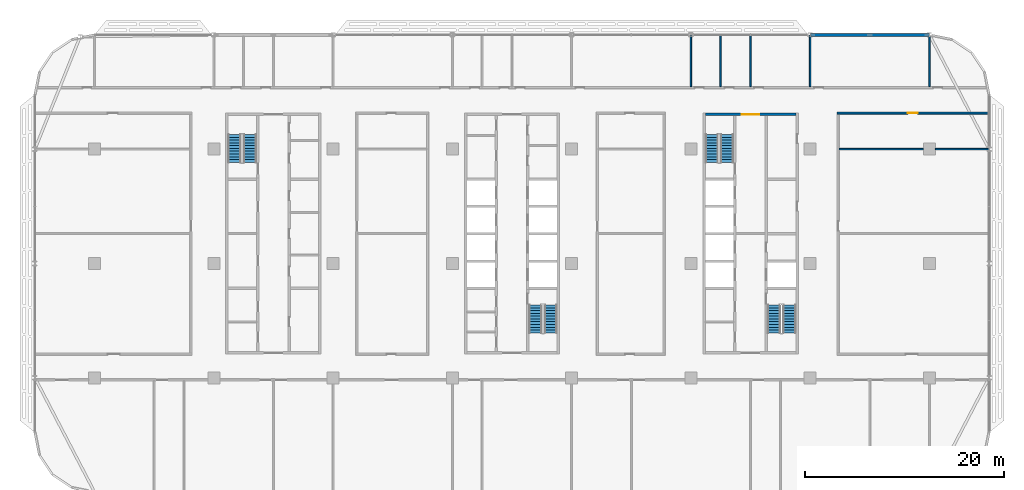
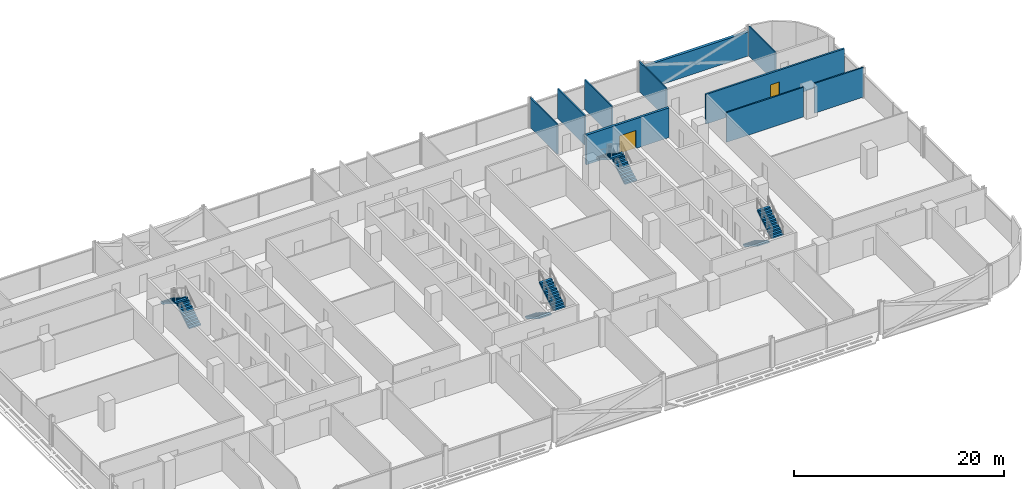
# One storey, part 16 of 27: 10 walls, 8 stair flights, 2 doors, 2 openings, 4 elements without a shape of their own.
"""IFC4 building model written with IfcOpenShell, lengths in metres."""

from ifc_helpers import new_model, si_unit, direction, frame, frame_2d, origin, place, context, subcontext, project, spatial, polyline, rectangle, outline, extrude, material, layer, layer_set, type_object, element, fill, aggregate, save


model = new_model("IFC4")

# Units and contexts
model_context = context("Model", 3, precision=1e-05, world=origin(), true_north=direction((0.0, 1.0)))
body_context = subcontext(model_context, "Body", "Model", "MODEL_VIEW")
ifc_project = project(units=[si_unit("LENGTHUNIT", "METRE"), si_unit("AREAUNIT", "SQUARE_METRE"), si_unit("VOLUMEUNIT", "CUBIC_METRE"), si_unit("PLANEANGLEUNIT", "RADIAN"), si_unit("MASSUNIT", "GRAM", prefix="KILO")], contexts=[model_context])

# Site, building, storey
site_placement = place(None, origin())
site = spatial("IfcSite", under=ifc_project, at=site_placement, CompositionType="ELEMENT")
building_placement = place(site_placement, origin())
building = spatial("IfcBuilding", under=site, at=building_placement, Name="Mahtab Terrace Research Tower", CompositionType="ELEMENT")
storey_placement = place(building_placement, frame((0.0, 0.0, 166.800048828125)))
storey = spatial("IfcBuildingStorey", under=building, at=storey_placement, Name="L39", CompositionType="ELEMENT", Elevation=166.800048828125)

# Wall, opening, door
ifc_material_1 = material(Name="Concrete C70/85", Category="concrete")
ifc_layer_1 = layer(ifc_material_1, 0.25)
ifc_layer_set_1 = layer_set([ifc_layer_1], Name="Core wall 250")
wall_type_1 = type_object("IfcWallType", Name="Core wall 250", PredefinedType="SOLIDWALL", material=ifc_layer_set_1)
wall_1_placement = place(storey_placement, frame((19.449951171875, 15.0, 0.0), z_axis=(0.0, 0.0, 1.0), x_axis=(1.0, 0.0, 0.0)))
wall_1 = element("IfcWall", 1, at=wall_1_placement, inside=storey, type_object=wall_type_1, Name="Core wall C endN", PredefinedType="SOLIDWALL", context=body_context, shape_type="SweptSolid", body=[
    extrude(rectangle(XDim=9.10009765625, YDim=0.25, at=frame_2d((4.550048828125, 0.0))), origin(), (0.0, 0.0, 1.0), 3.4599609375),
])
opening_1_placement = place(wall_1_placement, frame((3.64990234375, 0.0, 0.0)))
opening_1 = element("IfcOpeningElement", 2, at=opening_1_placement, cuts=wall_1, Name="Opening C-N1", PredefinedType="OPENING", context=body_context, shape_type="SweptSolid", body=[
    extrude(rectangle(XDim=1.800048828125, YDim=2.10009765625, at=frame_2d((0.89990234375, 1.050048828125))), frame((0.0, 0.135009765625, 0.0), z_axis=(0.0, -1.0, 0.0), x_axis=(1.0, 0.0, 0.0)), (0.0, 0.0, 1.0), 0.27001953125),
])
ifc_material_2 = material(Name="Steel fire door", Category="steel")
door_type_1 = type_object("IfcDoorType", Name="Lobby double door 1800x2100 1 HR", OperationType="DOUBLE_DOOR_SINGLE_SWING", PredefinedType="DOOR", material=ifc_material_2)
door_1_placement = place(opening_1_placement, origin())
door_1 = element("IfcDoor", 3, at=door_1_placement, inside=storey, type_object=door_type_1, Name="Core entrance door C N", OperationType="DOUBLE_DOOR_SINGLE_SWING", OverallHeight=2.10009765625, OverallWidth=1.800048828125, PredefinedType="DOOR", context=body_context, shape_type="SweptSolid", body=[
    extrude(rectangle(XDim=1.800048828125, YDim=2.10009765625, at=frame_2d((0.89990234375, 1.050048828125))), frame((0.0, 0.02490234375, 0.0), z_axis=(0.0, -1.0, 0.0), x_axis=(1.0, 0.0, 0.0)), (0.0, 0.0, 1.0), 0.050048828125),
])
fill(opening_1, door_1)

# Wall
ifc_material_3 = material(Name="Black aluminium cladding panel", Category="aluminium")
ifc_layer_2 = layer(ifc_material_3, 0.300048828125)
ifc_layer_set_2 = layer_set([ifc_layer_2], Name="Opaque facade wall 300")
wall_type_2 = type_object("IfcWallType", Name="Opaque facade wall 300", PredefinedType="NOTDEFINED", material=ifc_layer_set_2)
wall_2_placement = place(storey_placement, frame((41.985107421875, 23.0, 0.0), z_axis=(0.0, 0.0, 1.0), x_axis=(-1.0, 0.0, 0.0)))
element("IfcWall", 4, at=wall_2_placement, inside=storey, type_object=wall_type_2, Name="Opaque facade wall L39 N3", PredefinedType="NOTDEFINED", context=body_context, shape_type="SweptSolid", body=[
    extrude(rectangle(XDim=11.97021484375, YDim=0.300048828125, at=frame_2d((5.985107421875, 0.0))), origin(), (0.0, 0.0, 1.0), 2.78173828125),
])

# Wall, opening, door
ifc_material_4 = material(Name="Gypsum board corridor wall on steel studs", Category="steel")
ifc_layer_3 = layer(ifc_material_4, 0.199951171875)
ifc_layer_set_3 = layer_set([ifc_layer_3], Name="WALL CORRIDOR 200")
wall_type_3 = type_object("IfcWallType", Name="WALL CORRIDOR 200", PredefinedType="PARTITIONING", material=ifc_layer_set_3)
wall_3_placement = place(storey_placement, frame((32.699951171875, 15.125, 0.0), z_axis=(0.0, 0.0, 1.0), x_axis=(1.0, 0.0, 0.0)))
wall_3 = element("IfcWall", 5, at=wall_3_placement, inside=storey, type_object=wall_type_3, Name="L39-W027", PredefinedType="PARTITIONING", context=body_context, shape_type="SweptSolid", body=[
    extrude(rectangle(XDim=15.275146484375, YDim=0.199951171875, at=frame_2d((7.6376953125, 0.0))), origin(), (0.0, 0.0, 1.0), 3.4599609375),
])
opening_2_placement = place(wall_3_placement, frame((7.10009765625, 0.0, 0.0)))
opening_2 = element("IfcOpeningElement", 6, at=opening_2_placement, cuts=wall_3, Name="Opening L39-125", PredefinedType="OPENING", context=body_context, shape_type="SweptSolid", body=[
    extrude(rectangle(XDim=1.0, YDim=2.10009765625, at=frame_2d((0.5, 1.050048828125))), frame((0.0, 0.10986328125, 0.0), z_axis=(0.0, -1.0, 0.0), x_axis=(1.0, 0.0, 0.0)), (0.0, 0.0, 1.0), 0.219970703125),
])
ifc_material_5 = material(Name="Timber door leaf in steel frame", Category="steel")
door_type_2 = type_object("IfcDoorType", Name="DOOR 1000X2100 FD30S", OperationType="SINGLE_SWING_LEFT", PredefinedType="DOOR", material=ifc_material_5)
door_2_placement = place(opening_2_placement, origin())
door_2 = element("IfcDoor", 7, at=door_2_placement, inside=storey, type_object=door_type_2, Name="Door L39-125", OperationType="SINGLE_SWING_LEFT", OverallHeight=2.10009765625, OverallWidth=1.0, PredefinedType="DOOR", context=body_context, shape_type="SweptSolid", body=[
    extrude(rectangle(XDim=1.0, YDim=2.10009765625, at=frame_2d((0.5, 1.050048828125))), frame((0.0, 0.02490234375, 0.0), z_axis=(0.0, -1.0, 0.0), x_axis=(1.0, 0.0, 0.0)), (0.0, 0.0, 1.0), 0.050048828125),
])
fill(opening_2, door_2)

# Walls
ifc_material_6 = material(Name="Gypsum board partition on steel studs", Category="steel")
ifc_layer_4 = layer(ifc_material_6, 0.14990234375)
ifc_layer_set_4 = layer_set([ifc_layer_4], Name="WALL PARTITION 150")
wall_type_4 = type_object("IfcWallType", Name="WALL PARTITION 150", PredefinedType="PARTITIONING", material=ifc_layer_set_4)
wall_4_placement = place(storey_placement, frame((32.89990234375, 11.5, 0.0), z_axis=(0.0, 0.0, 1.0), x_axis=(1.0, 0.0, 0.0)))
element("IfcWall", 8, at=wall_4_placement, inside=storey, type_object=wall_type_4, Name="L39-W022", PredefinedType="PARTITIONING", context=body_context, shape_type="SweptSolid", body=[
    extrude(rectangle(XDim=8.5, YDim=0.14990234375, at=frame_2d((4.25, 0.0))), origin(), (0.0, 0.0, 1.0), 3.4599609375),
])
wall_5_placement = place(storey_placement, frame((42.60009765625, 11.5, 0.0), z_axis=(0.0, 0.0, 1.0), x_axis=(1.0, 0.0, 0.0)))
element("IfcWall", 9, at=wall_5_placement, inside=storey, type_object=wall_type_4, Name="L39-W023", PredefinedType="PARTITIONING", context=body_context, shape_type="SweptSolid", body=[
    extrude(rectangle(XDim=5.375, YDim=0.14990234375, at=frame_2d((2.6875, 0.0))), origin(), (0.0, 0.0, 1.0), 3.4599609375),
])
for number, where, z_axis, x_axis, name in (
    (10, (18.0, 17.800048828125, 0.0), (0.0, 0.0, 1.0), (0.0, 1.0, 0.0), "L39-W051"),
    (11, (21.0, 17.800048828125, 0.0), (0.0, 0.0, 1.0), (0.0, 1.0, 0.0), "L39-W052"),
    (12, (24.0, 17.800048828125, 0.0), (0.0, 0.0, 1.0), (0.0, 1.0, 0.0), "L39-W054"),
    (13, (30.0, 17.800048828125, 0.0), (0.0, 0.0, 1.0), (0.0, 1.0, 0.0), "L39-W056"),
):
    element("IfcWall", number, at=place(storey_placement, frame(where, z_axis=z_axis, x_axis=x_axis)), inside=storey, type_object=wall_type_4, Name=name, PredefinedType="PARTITIONING", context=body_context, shape_type="SweptSolid", body=[
        extrude(rectangle(XDim=5.175048828125, YDim=0.14990234375, at=frame_2d((2.58740234375, 0.0))), origin(), (0.0, 0.0, 1.0), 3.4599609375),
    ])
wall_6_placement = place(storey_placement, frame((42.0, 17.800048828125, 0.0), z_axis=(0.0, 0.0, 1.0), x_axis=(0.0, 1.0, 0.0)))
element("IfcWall", 14, at=wall_6_placement, inside=storey, type_object=wall_type_4, Name="L39-W060", PredefinedType="PARTITIONING", context=body_context, shape_type="SweptSolid", body=[
    extrude(rectangle(XDim=5.047119140625, YDim=0.14990234375, at=frame_2d((2.5234375, 0.0))), origin(), (0.0, 0.0, 1.0), 3.4599609375),
])

# Stair, stair flights
ifc_material_7 = material(Name="Exit stair half-turn")
stair_type = type_object("IfcStairType", Name="Exit stair half-turn", PredefinedType="HALF_TURN_STAIR", material=ifc_material_7)
stair_1_placement = place(storey_placement, origin())
stair_1 = element("IfcStair", 15, at=stair_1_placement, inside=storey, type_object=stair_type, Name="L39 Protected exit stair ST1", PredefinedType="HALF_TURN_STAIR")
ifc_material_8 = material(Name="Concrete C40/50", Category="concrete")
stair_flight_type = type_object("IfcStairFlightType", Name="Exit stair flight 1300", PredefinedType="STRAIGHT", material=ifc_material_8)
stair_flight_1_placement = place(storey_placement, frame((-26.35009765625, 10.175048828125, 0.0), z_axis=(0.0, 0.0, 1.0), x_axis=(0.0, 1.0, 0.0)))
stair_flight_1 = element("IfcStairFlight", 16, at=stair_flight_1_placement, type_object=stair_flight_type, Name="ST1 flight 1", NumberOfRisers=11, NumberOfTreads=10, PredefinedType="STRAIGHT", RiserHeight=0.172727273, TreadLength=0.28, context=body_context, shape_type="SweptSolid", body=[
    extrude(outline(polyline([(0.0, 0.0), (0.0, 0.172607421875), (0.280029296875, 0.172607421875), (0.280029296875, 0.345458984375), (0.56005859375, 0.345458984375), (0.56005859375, 0.51806640625), (0.840087890625, 0.51806640625), (0.840087890625, 0.69091796875), (1.1201171875, 0.69091796875), (1.1201171875, 0.863525390625), (1.39990234375, 0.863525390625), (1.39990234375, 1.036376953125), (1.679931640625, 1.036376953125), (1.679931640625, 1.208984375), (1.9599609375, 1.208984375), (1.9599609375, 1.3818359375), (2.239990234375, 1.3818359375), (2.239990234375, 1.554443359375), (2.52001953125, 1.554443359375), (2.52001953125, 1.727294921875), (2.800048828125, 1.727294921875), (2.800048828125, 1.89990234375), (2.800048828125, 1.551025390625), (0.285400390625, 0.0), (0.0, 0.0)])), frame((0.0, 0.64990234375, 0.0), z_axis=(0.0, -1.0, 0.0), x_axis=(1.0, 0.0, 0.0)), (0.0, 0.0, 1.0), 1.300048828125),
])
stair_flight_2_placement = place(storey_placement, frame((-27.89990234375, 12.97509765625, 1.89990234375), z_axis=(0.0, 0.0, 1.0), x_axis=(0.0, -1.0, 0.0)))
stair_flight_2 = element("IfcStairFlight", 17, at=stair_flight_2_placement, type_object=stair_flight_type, Name="ST1 flight 2", NumberOfRisers=11, NumberOfTreads=10, PredefinedType="STRAIGHT", RiserHeight=0.172727273, TreadLength=0.28, context=body_context, shape_type="SweptSolid", body=[
    extrude(outline(polyline([(0.0, 0.0), (0.0, 0.172607421875), (0.280029296875, 0.172607421875), (0.280029296875, 0.345458984375), (0.56005859375, 0.345458984375), (0.56005859375, 0.51806640625), (0.840087890625, 0.51806640625), (0.840087890625, 0.69091796875), (1.1201171875, 0.69091796875), (1.1201171875, 0.863525390625), (1.39990234375, 0.863525390625), (1.39990234375, 1.036376953125), (1.679931640625, 1.036376953125), (1.679931640625, 1.208984375), (1.9599609375, 1.208984375), (1.9599609375, 1.3818359375), (2.239990234375, 1.3818359375), (2.239990234375, 1.554443359375), (2.52001953125, 1.554443359375), (2.52001953125, 1.727294921875), (2.800048828125, 1.727294921875), (2.800048828125, 1.89990234375), (2.800048828125, 1.551025390625), (0.285400390625, 0.0), (0.0, 0.0)])), frame((0.0, 0.64990234375, 0.0), z_axis=(0.0, -1.0, 0.0), x_axis=(1.0, 0.0, 0.0)), (0.0, 0.0, 1.0), 1.300048828125),
])
aggregate(stair_1, [stair_flight_1, stair_flight_2])

stair_2_placement = place(storey_placement, origin())
stair_2 = element("IfcStair", 18, at=stair_2_placement, inside=storey, type_object=stair_type, Name="L39 Protected exit stair ST2", PredefinedType="HALF_TURN_STAIR")
stair_flight_3_placement = place(storey_placement, frame((2.35009765625, -4.175048828125, 0.0), z_axis=(0.0, 0.0, 1.0), x_axis=(0.0, -1.0, 0.0)))
stair_flight_3 = element("IfcStairFlight", 19, at=stair_flight_3_placement, type_object=stair_flight_type, Name="ST2 flight 1", NumberOfRisers=11, NumberOfTreads=10, PredefinedType="STRAIGHT", RiserHeight=0.172727273, TreadLength=0.28, context=body_context, shape_type="SweptSolid", body=[
    extrude(outline(polyline([(0.0, 0.0), (0.0, 0.172607421875), (0.280029296875, 0.172607421875), (0.280029296875, 0.345458984375), (0.56005859375, 0.345458984375), (0.56005859375, 0.51806640625), (0.840087890625, 0.51806640625), (0.840087890625, 0.69091796875), (1.1201171875, 0.69091796875), (1.1201171875, 0.863525390625), (1.39990234375, 0.863525390625), (1.39990234375, 1.036376953125), (1.679931640625, 1.036376953125), (1.679931640625, 1.208984375), (1.9599609375, 1.208984375), (1.9599609375, 1.3818359375), (2.239990234375, 1.3818359375), (2.239990234375, 1.554443359375), (2.52001953125, 1.554443359375), (2.52001953125, 1.727294921875), (2.800048828125, 1.727294921875), (2.800048828125, 1.89990234375), (2.800048828125, 1.551025390625), (0.285400390625, 0.0), (0.0, 0.0)])), frame((0.0, 0.64990234375, 0.0), z_axis=(0.0, -1.0, 0.0), x_axis=(1.0, 0.0, 0.0)), (0.0, 0.0, 1.0), 1.300048828125),
])
stair_flight_4_placement = place(storey_placement, frame((3.89990234375, -6.97509765625, 1.89990234375), z_axis=(0.0, 0.0, 1.0), x_axis=(0.0, 1.0, 0.0)))
stair_flight_4 = element("IfcStairFlight", 20, at=stair_flight_4_placement, type_object=stair_flight_type, Name="ST2 flight 2", NumberOfRisers=11, NumberOfTreads=10, PredefinedType="STRAIGHT", RiserHeight=0.172727273, TreadLength=0.28, context=body_context, shape_type="SweptSolid", body=[
    extrude(outline(polyline([(0.0, 0.0), (0.0, 0.172607421875), (0.280029296875, 0.172607421875), (0.280029296875, 0.345458984375), (0.56005859375, 0.345458984375), (0.56005859375, 0.51806640625), (0.840087890625, 0.51806640625), (0.840087890625, 0.69091796875), (1.1201171875, 0.69091796875), (1.1201171875, 0.863525390625), (1.39990234375, 0.863525390625), (1.39990234375, 1.036376953125), (1.679931640625, 1.036376953125), (1.679931640625, 1.208984375), (1.9599609375, 1.208984375), (1.9599609375, 1.3818359375), (2.239990234375, 1.3818359375), (2.239990234375, 1.554443359375), (2.52001953125, 1.554443359375), (2.52001953125, 1.727294921875), (2.800048828125, 1.727294921875), (2.800048828125, 1.89990234375), (2.800048828125, 1.551025390625), (0.285400390625, 0.0), (0.0, 0.0)])), frame((0.0, 0.64990234375, 0.0), z_axis=(0.0, -1.0, 0.0), x_axis=(1.0, 0.0, 0.0)), (0.0, 0.0, 1.0), 1.300048828125),
])
aggregate(stair_2, [stair_flight_3, stair_flight_4])

stair_3_placement = place(storey_placement, origin())
stair_3 = element("IfcStair", 21, at=stair_3_placement, inside=storey, type_object=stair_type, Name="L39 Protected exit stair ST3", PredefinedType="HALF_TURN_STAIR")
stair_flight_5_placement = place(storey_placement, frame((21.64990234375, 10.175048828125, 0.0), z_axis=(0.0, 0.0, 1.0), x_axis=(0.0, 1.0, 0.0)))
stair_flight_5 = element("IfcStairFlight", 22, at=stair_flight_5_placement, type_object=stair_flight_type, Name="ST3 flight 1", NumberOfRisers=11, NumberOfTreads=10, PredefinedType="STRAIGHT", RiserHeight=0.172727273, TreadLength=0.28, context=body_context, shape_type="SweptSolid", body=[
    extrude(outline(polyline([(0.0, 0.0), (0.0, 0.172607421875), (0.280029296875, 0.172607421875), (0.280029296875, 0.345458984375), (0.56005859375, 0.345458984375), (0.56005859375, 0.51806640625), (0.840087890625, 0.51806640625), (0.840087890625, 0.69091796875), (1.1201171875, 0.69091796875), (1.1201171875, 0.863525390625), (1.39990234375, 0.863525390625), (1.39990234375, 1.036376953125), (1.679931640625, 1.036376953125), (1.679931640625, 1.208984375), (1.9599609375, 1.208984375), (1.9599609375, 1.3818359375), (2.239990234375, 1.3818359375), (2.239990234375, 1.554443359375), (2.52001953125, 1.554443359375), (2.52001953125, 1.727294921875), (2.800048828125, 1.727294921875), (2.800048828125, 1.89990234375), (2.800048828125, 1.551025390625), (0.285400390625, 0.0), (0.0, 0.0)])), frame((0.0, 0.64990234375, 0.0), z_axis=(0.0, -1.0, 0.0), x_axis=(1.0, 0.0, 0.0)), (0.0, 0.0, 1.0), 1.300048828125),
])
stair_flight_6_placement = place(storey_placement, frame((20.10009765625, 12.97509765625, 1.89990234375), z_axis=(0.0, 0.0, 1.0), x_axis=(0.0, -1.0, 0.0)))
stair_flight_6 = element("IfcStairFlight", 23, at=stair_flight_6_placement, type_object=stair_flight_type, Name="ST3 flight 2", NumberOfRisers=11, NumberOfTreads=10, PredefinedType="STRAIGHT", RiserHeight=0.172727273, TreadLength=0.28, context=body_context, shape_type="SweptSolid", body=[
    extrude(outline(polyline([(0.0, 0.0), (0.0, 0.172607421875), (0.280029296875, 0.172607421875), (0.280029296875, 0.345458984375), (0.56005859375, 0.345458984375), (0.56005859375, 0.51806640625), (0.840087890625, 0.51806640625), (0.840087890625, 0.69091796875), (1.1201171875, 0.69091796875), (1.1201171875, 0.863525390625), (1.39990234375, 0.863525390625), (1.39990234375, 1.036376953125), (1.679931640625, 1.036376953125), (1.679931640625, 1.208984375), (1.9599609375, 1.208984375), (1.9599609375, 1.3818359375), (2.239990234375, 1.3818359375), (2.239990234375, 1.554443359375), (2.52001953125, 1.554443359375), (2.52001953125, 1.727294921875), (2.800048828125, 1.727294921875), (2.800048828125, 1.89990234375), (2.800048828125, 1.551025390625), (0.285400390625, 0.0), (0.0, 0.0)])), frame((0.0, 0.64990234375, 0.0), z_axis=(0.0, -1.0, 0.0), x_axis=(1.0, 0.0, 0.0)), (0.0, 0.0, 1.0), 1.300048828125),
])
aggregate(stair_3, [stair_flight_5, stair_flight_6])

stair_4_placement = place(storey_placement, origin())
stair_4 = element("IfcStair", 24, at=stair_4_placement, inside=storey, type_object=stair_type, Name="L39 Protected exit stair ST4", PredefinedType="HALF_TURN_STAIR")
stair_flight_7_placement = place(storey_placement, frame((26.35009765625, -4.175048828125, 0.0), z_axis=(0.0, 0.0, 1.0), x_axis=(0.0, -1.0, 0.0)))
stair_flight_7 = element("IfcStairFlight", 25, at=stair_flight_7_placement, type_object=stair_flight_type, Name="ST4 flight 1", NumberOfRisers=11, NumberOfTreads=10, PredefinedType="STRAIGHT", RiserHeight=0.172727273, TreadLength=0.28, context=body_context, shape_type="SweptSolid", body=[
    extrude(outline(polyline([(0.0, 0.0), (0.0, 0.172607421875), (0.280029296875, 0.172607421875), (0.280029296875, 0.345458984375), (0.56005859375, 0.345458984375), (0.56005859375, 0.51806640625), (0.840087890625, 0.51806640625), (0.840087890625, 0.69091796875), (1.1201171875, 0.69091796875), (1.1201171875, 0.863525390625), (1.39990234375, 0.863525390625), (1.39990234375, 1.036376953125), (1.679931640625, 1.036376953125), (1.679931640625, 1.208984375), (1.9599609375, 1.208984375), (1.9599609375, 1.3818359375), (2.239990234375, 1.3818359375), (2.239990234375, 1.554443359375), (2.52001953125, 1.554443359375), (2.52001953125, 1.727294921875), (2.800048828125, 1.727294921875), (2.800048828125, 1.89990234375), (2.800048828125, 1.551025390625), (0.285400390625, 0.0), (0.0, 0.0)])), frame((0.0, 0.64990234375, 0.0), z_axis=(0.0, -1.0, 0.0), x_axis=(1.0, 0.0, 0.0)), (0.0, 0.0, 1.0), 1.300048828125),
])
stair_flight_8_placement = place(storey_placement, frame((27.89990234375, -6.97509765625, 1.89990234375), z_axis=(0.0, 0.0, 1.0), x_axis=(0.0, 1.0, 0.0)))
stair_flight_8 = element("IfcStairFlight", 26, at=stair_flight_8_placement, type_object=stair_flight_type, Name="ST4 flight 2", NumberOfRisers=11, NumberOfTreads=10, PredefinedType="STRAIGHT", RiserHeight=0.172727273, TreadLength=0.28, context=body_context, shape_type="SweptSolid", body=[
    extrude(outline(polyline([(0.0, 0.0), (0.0, 0.172607421875), (0.280029296875, 0.172607421875), (0.280029296875, 0.345458984375), (0.56005859375, 0.345458984375), (0.56005859375, 0.51806640625), (0.840087890625, 0.51806640625), (0.840087890625, 0.69091796875), (1.1201171875, 0.69091796875), (1.1201171875, 0.863525390625), (1.39990234375, 0.863525390625), (1.39990234375, 1.036376953125), (1.679931640625, 1.036376953125), (1.679931640625, 1.208984375), (1.9599609375, 1.208984375), (1.9599609375, 1.3818359375), (2.239990234375, 1.3818359375), (2.239990234375, 1.554443359375), (2.52001953125, 1.554443359375), (2.52001953125, 1.727294921875), (2.800048828125, 1.727294921875), (2.800048828125, 1.89990234375), (2.800048828125, 1.551025390625), (0.285400390625, 0.0), (0.0, 0.0)])), frame((0.0, 0.64990234375, 0.0), z_axis=(0.0, -1.0, 0.0), x_axis=(1.0, 0.0, 0.0)), (0.0, 0.0, 1.0), 1.300048828125),
])
aggregate(stair_4, [stair_flight_7, stair_flight_8])

save(model, "model.ifc")
